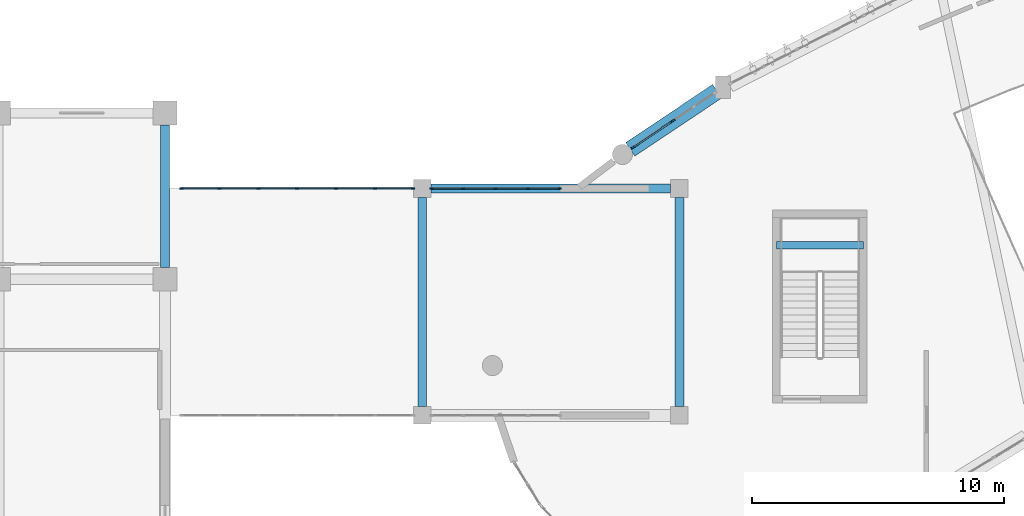
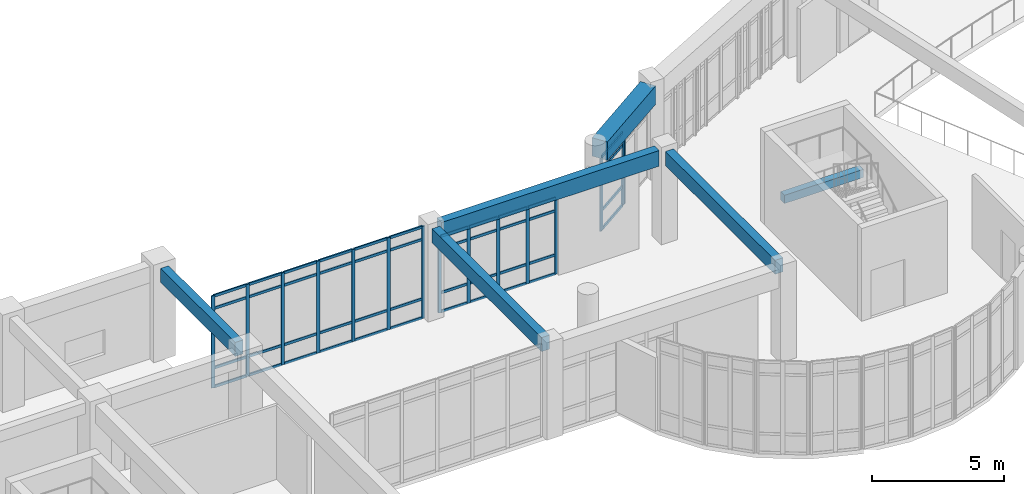
# One storey, part 9 of 57: 59 members, 6 beams, 4 elements without a shape of their own.
"""IFC4 building model written with IfcOpenShell, lengths in metres."""

from ifc_helpers import new_model, si_unit, direction, frame, origin, origin_2d, place, context, subcontext, project, spatial, rectangle, extrude, material, layer, layer_set, material_profile, profile_set, type_object, element, aggregate, save


model = new_model("IFC4")

# Units and contexts
model_context = context("Model", 3, precision=1e-05, world=origin(), true_north=direction((0.0, 1.0)))
body_context = subcontext(model_context, "Body", "Model", "MODEL_VIEW")
ifc_project = project(units=[si_unit("LENGTHUNIT", "METRE"), si_unit("AREAUNIT", "SQUARE_METRE"), si_unit("VOLUMEUNIT", "CUBIC_METRE"), si_unit("PLANEANGLEUNIT", "RADIAN"), si_unit("MASSUNIT", "GRAM", prefix="KILO")], contexts=[model_context])

# Site, building, storey
site_placement = place(None, origin())
site = spatial("IfcSite", under=ifc_project, at=site_placement, CompositionType="ELEMENT")
building_placement = place(site_placement, origin())
building = spatial("IfcBuilding", under=site, at=building_placement, Name="Miralva Faculty of Natural Sciences", CompositionType="ELEMENT")
storey_placement = place(building_placement, frame((0.0, 0.0, 15.0)))
storey = spatial("IfcBuildingStorey", under=building, at=storey_placement, Name="L03", CompositionType="ELEMENT", Elevation=15.0)

# Beams
ifc_material_1 = material(Name="Concrete C40/50", Category="concrete")
ifc_material_profile_1 = material_profile(ifc_material_1, rectangle(XDim=0.35009765625, YDim=0.64990234375, at=origin_2d()), Name="RC 350x650")
ifc_profile_set_1 = profile_set([ifc_material_profile_1], Name="Concrete C40/50")
beam_type_1 = type_object("IfcBeamType", Name="BM-B05", PredefinedType="BEAM", material=ifc_profile_set_1)
beam_1_placement = place(storey_placement, frame((36.0, 23.875, 3.93505859375), z_axis=(0.0, 1.0, 0.0), x_axis=(-1.0, 0.0, 0.0)))
element("IfcBeam", 1, at=beam_1_placement, inside=storey, type_object=beam_type_1, Name="Girder NS L03-109", PredefinedType="BEAM", context=body_context, shape_type="SweptSolid", body=[
    extrude(rectangle(XDim=0.35009765625, YDim=0.64990234375, at=origin_2d()), origin(), (0.0, 0.0, 1.0), 5.64990234375),
])
for number, where, z_axis, x_axis, name in (
    (2, (46.199951171875, 18.35009765625, 3.93505859375), (0.0, 1.0, 0.0), (-1.0, 0.0, 0.0), "Girder NS L03-110"),
    (3, (56.39990234375, 18.35009765625, 3.93505859375), (0.0, 1.0, 0.0), (-1.0, 0.0, 0.0), "Girder NS L03-111"),
):
    element("IfcBeam", number, at=place(storey_placement, frame(where, z_axis=z_axis, x_axis=x_axis)), inside=storey, type_object=beam_type_1, Name=name, PredefinedType="BEAM", context=body_context, shape_type="SweptSolid", body=[
        extrude(rectangle(XDim=0.35009765625, YDim=0.64990234375, at=origin_2d()), origin(), (0.0, 0.0, 1.0), 8.2998046875),
    ])
ifc_material_profile_2 = material_profile(ifc_material_1, rectangle(XDim=0.360107421875, YDim=0.719970703125, at=origin_2d()), Name="RC 360x720")
ifc_profile_set_2 = profile_set([ifc_material_profile_2], Name="Concrete C40/50")
beam_type_2 = type_object("IfcBeamType", Name="BM-BG05", PredefinedType="BEAM", material=ifc_profile_set_2)
beam_2_placement = place(storey_placement, frame((46.550048828125, 27.0, 3.89990234375), z_axis=(1.0, 0.0, 0.0), x_axis=(0.0, 1.0, 0.0)))
element("IfcBeam", 4, at=beam_2_placement, inside=storey, type_object=beam_type_2, Name="Girder EW L03-23", PredefinedType="BEAM", context=body_context, shape_type="SweptSolid", body=[
    extrude(rectangle(XDim=0.360107421875, YDim=0.719970703125, at=origin_2d()), origin(), (0.0, 0.0, 1.0), 9.5),
])
ifc_material_profile_3 = material_profile(ifc_material_1, rectangle(XDim=0.300048828125, YDim=0.3798828125, at=origin_2d()), Name="RC 300x380")
ifc_profile_set_3 = profile_set([ifc_material_profile_3], Name="Concrete C40/50")
beam_type_3 = type_object("IfcBeamType", Name="BM-LND01", PredefinedType="BEAM", material=ifc_profile_set_3)
beam_3_placement = place(storey_placement, frame((60.25, 24.7548828125, 1.8701171875), z_axis=(1.0, 0.0, 0.0), x_axis=(0.0, 1.0, 0.0)))
element("IfcBeam", 5, at=beam_3_placement, inside=storey, type_object=beam_type_3, Name="Stair Core C6 half-landing support beam L03", PredefinedType="BEAM", context=body_context, shape_type="SweptSolid", body=[
    extrude(rectangle(XDim=0.300048828125, YDim=0.3798828125, at=origin_2d()), origin(), (0.0, 0.0, 1.0), 3.449951171875),
])
ifc_material_profile_4 = material_profile(ifc_material_1, rectangle(XDim=0.64990234375, YDim=0.85009765625, at=origin_2d()), Name="RC 650x850")
ifc_profile_set_4 = profile_set([ifc_material_profile_4], Name="Concrete C40/50")
beam_type_4 = type_object("IfcBeamType", Name="BM-SP03", PredefinedType="SPANDREL", material=ifc_profile_set_4)
beam_4_placement = place(storey_placement, frame((57.900390625, 30.856689453125, 3.8349609375), z_axis=(-0.831378794944, -0.555706126759, 0.0), x_axis=(0.555706126759, -0.831378794944, 0.0)))
element("IfcBeam", 6, at=beam_4_placement, inside=storey, type_object=beam_type_4, Name="Curved chord girder SHOUT L03-9", PredefinedType="SPANDREL", context=body_context, shape_type="SweptSolid", body=[
    extrude(rectangle(XDim=0.64990234375, YDim=0.85009765625, at=origin_2d()), origin(), (0.0, 0.0, 1.0), 4.142822265625),
])

# Curtain wall, members
ifc_material_2 = material(Name="Laminated solar-control glass", Category="glass")
ifc_layer_1 = layer(ifc_material_2, 0.179931640625, Name="CW-ARC-L03")
ifc_layer_set_1 = layer_set([ifc_layer_1], Name="Laminated solar-control glass")
curtain_wall_type_1 = type_object("IfcCurtainWallType", Name="CW-ARC-L03", PredefinedType="USERDEFINED", material=ifc_layer_set_1)
curtain_wall_1_placement = place(storey_placement, origin())
curtain_wall_1 = element("IfcCurtainWall", 7, at=curtain_wall_1_placement, inside=storey, type_object=curtain_wall_type_1, Name="Curtain wall CW-03 L03-125", ObjectType="UNITISED CURTAIN WALL", PredefinedType="USERDEFINED")
ifc_material_3 = material(Name="Anodised aluminium", Category="aluminium")
ifc_material_profile_5 = material_profile(ifc_material_3, rectangle(XDim=0.06494140625, YDim=0.159912109375, at=origin_2d()), Name="MULLION 65x160")
ifc_profile_set_5 = profile_set([ifc_material_profile_5], Name="Anodised aluminium")
member_type_1 = type_object("IfcMemberType", Name="CW-M02", PredefinedType="MULLION", material=ifc_profile_set_5)
member_1_placement = place(storey_placement, frame((54.558837890625, 28.62646484375, 0.0), z_axis=(0.0, 0.0, 1.0), x_axis=(-0.555548937913, 0.831483840844, 0.0)))
member_1 = element("IfcMember", 8, at=member_1_placement, type_object=member_type_1, Name="CW-03 mullion 1", PredefinedType="MULLION", context=body_context, shape_type="SweptSolid", body=[
    extrude(rectangle(XDim=0.06494140625, YDim=0.159912109375, at=origin_2d()), origin(), (0.0, 0.0, 1.0), 3.405029296875),
])
member_2_placement = place(storey_placement, frame((56.109375, 29.662353515625, 0.0), z_axis=(0.0, 0.0, 1.0), x_axis=(-0.555548937913, 0.831483840844, 0.0)))
member_2 = element("IfcMember", 9, at=member_2_placement, type_object=member_type_1, Name="CW-03 mullion 2", PredefinedType="MULLION", context=body_context, shape_type="SweptSolid", body=[
    extrude(rectangle(XDim=0.06494140625, YDim=0.159912109375, at=origin_2d()), origin(), (0.0, 0.0, 1.0), 3.405029296875),
])

# Curtain wall, member
curtain_wall_2_placement = place(storey_placement, origin())
curtain_wall_2 = element("IfcCurtainWall", 10, at=curtain_wall_2_placement, inside=storey, type_object=curtain_wall_type_1, Name="Curtain wall CW-03 L03-126", ObjectType="UNITISED CURTAIN WALL", PredefinedType="USERDEFINED")
member_3_placement = place(storey_placement, frame((56.1591796875, 29.69580078125, 0.0), z_axis=(0.0, 0.0, 1.0), x_axis=(-0.55558704736, 0.831458377074, 0.0)))
member_3 = element("IfcMember", 11, at=member_3_placement, type_object=member_type_1, Name="CW-03 mullion 1", PredefinedType="MULLION", context=body_context, shape_type="SweptSolid", body=[
    extrude(rectangle(XDim=0.06494140625, YDim=0.159912109375, at=origin_2d()), origin(), (0.0, 0.0, 1.0), 3.405029296875),
])
aggregate(curtain_wall_2, [member_3])

# Curtain wall, members
ifc_layer_2 = layer(ifc_material_2, 0.179931640625, Name="CW-COM-L01")
ifc_layer_set_2 = layer_set([ifc_layer_2], Name="Laminated solar-control glass")
curtain_wall_type_2 = type_object("IfcCurtainWallType", Name="CW-COM-L01", PredefinedType="USERDEFINED", material=ifc_layer_set_2)
curtain_wall_3_placement = place(storey_placement, origin())
curtain_wall_3 = element("IfcCurtainWall", 12, at=curtain_wall_3_placement, inside=storey, type_object=curtain_wall_type_2, Name="Curtain wall CW-10 L03-303", ObjectType="UNITISED CURTAIN WALL", PredefinedType="USERDEFINED")
ifc_material_profile_6 = material_profile(ifc_material_3, rectangle(XDim=0.06005859375, YDim=0.139892578125, at=origin_2d()), Name="MULLION 60x140")
ifc_profile_set_6 = profile_set([ifc_material_profile_6], Name="Anodised aluminium")
member_type_2 = type_object("IfcMemberType", Name="CW-M03", PredefinedType="MULLION", material=ifc_profile_set_6)
member_4_placement = place(storey_placement, frame((36.64990234375, 27.0, 0.0), z_axis=(0.0, 0.0, 1.0), x_axis=(0.0, 1.0, 0.0)))
member_4 = element("IfcMember", 13, at=member_4_placement, type_object=member_type_2, Name="CW-10 mullion 1", PredefinedType="MULLION", context=body_context, shape_type="SweptSolid", body=[
    extrude(rectangle(XDim=0.06005859375, YDim=0.139892578125, at=origin_2d()), origin(), (0.0, 0.0, 1.0), 4.25),
])
member_5_placement = place(storey_placement, frame((38.160888671875, 27.0, 0.0), z_axis=(0.0, 0.0, 1.0), x_axis=(0.0, 1.0, 0.0)))
member_5 = element("IfcMember", 14, at=member_5_placement, type_object=member_type_2, Name="CW-10 mullion 2", PredefinedType="MULLION", context=body_context, shape_type="SweptSolid", body=[
    extrude(rectangle(XDim=0.06005859375, YDim=0.139892578125, at=origin_2d()), origin(), (0.0, 0.0, 1.0), 4.25),
])
member_6_placement = place(storey_placement, frame((39.70166015625, 27.0, 0.0), z_axis=(0.0, 0.0, 1.0), x_axis=(0.0, 1.0, 0.0)))
member_6 = element("IfcMember", 15, at=member_6_placement, type_object=member_type_2, Name="CW-10 mullion 3", PredefinedType="MULLION", context=body_context, shape_type="SweptSolid", body=[
    extrude(rectangle(XDim=0.06005859375, YDim=0.139892578125, at=origin_2d()), origin(), (0.0, 0.0, 1.0), 4.25),
])
member_7_placement = place(storey_placement, frame((41.242431640625, 27.0, 0.0), z_axis=(0.0, 0.0, 1.0), x_axis=(0.0, 1.0, 0.0)))
member_7 = element("IfcMember", 16, at=member_7_placement, type_object=member_type_2, Name="CW-10 mullion 4", PredefinedType="MULLION", context=body_context, shape_type="SweptSolid", body=[
    extrude(rectangle(XDim=0.06005859375, YDim=0.139892578125, at=origin_2d()), origin(), (0.0, 0.0, 1.0), 4.25),
])
member_8_placement = place(storey_placement, frame((42.783447265625, 27.0, 0.0), z_axis=(0.0, 0.0, 1.0), x_axis=(0.0, 1.0, 0.0)))
member_8 = element("IfcMember", 17, at=member_8_placement, type_object=member_type_2, Name="CW-10 mullion 5", PredefinedType="MULLION", context=body_context, shape_type="SweptSolid", body=[
    extrude(rectangle(XDim=0.06005859375, YDim=0.139892578125, at=origin_2d()), origin(), (0.0, 0.0, 1.0), 4.25),
])
member_9_placement = place(storey_placement, frame((44.32421875, 27.0, 0.0), z_axis=(0.0, 0.0, 1.0), x_axis=(0.0, 1.0, 0.0)))
member_9 = element("IfcMember", 18, at=member_9_placement, type_object=member_type_2, Name="CW-10 mullion 6", PredefinedType="MULLION", context=body_context, shape_type="SweptSolid", body=[
    extrude(rectangle(XDim=0.06005859375, YDim=0.139892578125, at=origin_2d()), origin(), (0.0, 0.0, 1.0), 4.25),
])
member_10_placement = place(storey_placement, frame((45.8349609375, 27.0, 0.0), z_axis=(0.0, 0.0, 1.0), x_axis=(0.0, 1.0, 0.0)))
member_10 = element("IfcMember", 19, at=member_10_placement, type_object=member_type_2, Name="CW-10 mullion 7", PredefinedType="MULLION", context=body_context, shape_type="SweptSolid", body=[
    extrude(rectangle(XDim=0.06005859375, YDim=0.139892578125, at=origin_2d()), origin(), (0.0, 0.0, 1.0), 4.25),
])

curtain_wall_4_placement = place(storey_placement, origin())
curtain_wall_4 = element("IfcCurtainWall", 20, at=curtain_wall_4_placement, inside=storey, type_object=curtain_wall_type_2, Name="Curtain wall CW-10 L03-304", ObjectType="UNITISED CURTAIN WALL", PredefinedType="USERDEFINED")
member_11_placement = place(storey_placement, frame((46.56494140625, 27.0, 0.0), z_axis=(0.0, 0.0, 1.0), x_axis=(0.0, 1.0, 0.0)))
member_11 = element("IfcMember", 21, at=member_11_placement, type_object=member_type_2, Name="CW-10 mullion 1", PredefinedType="MULLION", context=body_context, shape_type="SweptSolid", body=[
    extrude(rectangle(XDim=0.06005859375, YDim=0.139892578125, at=origin_2d()), origin(), (0.0, 0.0, 1.0), 3.534912109375),
])
member_12_placement = place(storey_placement, frame((47.8212890625, 27.0, 0.0), z_axis=(0.0, 0.0, 1.0), x_axis=(0.0, 1.0, 0.0)))
member_12 = element("IfcMember", 22, at=member_12_placement, type_object=member_type_2, Name="CW-10 mullion 2", PredefinedType="MULLION", context=body_context, shape_type="SweptSolid", body=[
    extrude(rectangle(XDim=0.06005859375, YDim=0.139892578125, at=origin_2d()), origin(), (0.0, 0.0, 1.0), 3.534912109375),
])
member_13_placement = place(storey_placement, frame((49.107421875, 27.0, 0.0), z_axis=(0.0, 0.0, 1.0), x_axis=(0.0, 1.0, 0.0)))
member_13 = element("IfcMember", 23, at=member_13_placement, type_object=member_type_2, Name="CW-10 mullion 3", PredefinedType="MULLION", context=body_context, shape_type="SweptSolid", body=[
    extrude(rectangle(XDim=0.06005859375, YDim=0.139892578125, at=origin_2d()), origin(), (0.0, 0.0, 1.0), 3.534912109375),
])
member_14_placement = place(storey_placement, frame((50.393798828125, 27.0, 0.0), z_axis=(0.0, 0.0, 1.0), x_axis=(0.0, 1.0, 0.0)))
member_14 = element("IfcMember", 24, at=member_14_placement, type_object=member_type_2, Name="CW-10 mullion 4", PredefinedType="MULLION", context=body_context, shape_type="SweptSolid", body=[
    extrude(rectangle(XDim=0.06005859375, YDim=0.139892578125, at=origin_2d()), origin(), (0.0, 0.0, 1.0), 3.534912109375),
])
member_15_placement = place(storey_placement, frame((51.64990234375, 27.0, 0.0), z_axis=(0.0, 0.0, 1.0), x_axis=(0.0, 1.0, 0.0)))
member_15 = element("IfcMember", 25, at=member_15_placement, type_object=member_type_2, Name="CW-10 mullion 5", PredefinedType="MULLION", context=body_context, shape_type="SweptSolid", body=[
    extrude(rectangle(XDim=0.06005859375, YDim=0.139892578125, at=origin_2d()), origin(), (0.0, 0.0, 1.0), 3.534912109375),
])

# Member
ifc_material_profile_7 = material_profile(ifc_material_3, rectangle(XDim=0.06005859375, YDim=0.1201171875, at=origin_2d()), Name="TRANSOM 60x120")
ifc_profile_set_7 = profile_set([ifc_material_profile_7], Name="Anodised aluminium")
member_type_3 = type_object("IfcMemberType", Name="CW-T02", PredefinedType="USERDEFINED", material=ifc_profile_set_7)
member_16_placement = place(storey_placement, frame((54.585693359375, 28.64453125, 0.030029296875), z_axis=(0.831528199487, 0.555482541093, 0.0), x_axis=(-0.555482541093, 0.831528199487, 0.0)))
member_16 = element("IfcMember", 26, at=member_16_placement, type_object=member_type_3, Name="CW-03 transom 1.1", ObjectType="TRANSOM", PredefinedType="USERDEFINED", context=body_context, shape_type="SweptSolid", body=[
    extrude(rectangle(XDim=0.06005859375, YDim=0.1201171875, at=origin_2d()), origin(), (0.0, 0.0, 1.0), 1.7998046875),
])

member_17_placement = place(storey_placement, frame((54.585693359375, 28.64453125, 0.89990234375), z_axis=(0.831528199487, 0.555482541093, 0.0), x_axis=(-0.555482541093, 0.831528199487, 0.0)))
member_17 = element("IfcMember", 27, at=member_17_placement, type_object=member_type_3, Name="CW-03 transom 1.2", ObjectType="TRANSOM", PredefinedType="USERDEFINED", context=body_context, shape_type="SweptSolid", body=[
    extrude(rectangle(XDim=0.06005859375, YDim=0.1201171875, at=origin_2d()), origin(), (0.0, 0.0, 1.0), 1.7998046875),
])

member_18_placement = place(storey_placement, frame((54.585693359375, 28.64453125, 2.804931640625), z_axis=(0.831528199487, 0.555482541093, 0.0), x_axis=(-0.555482541093, 0.831528199487, 0.0)))
member_18 = element("IfcMember", 28, at=member_18_placement, type_object=member_type_3, Name="CW-03 transom 1.3", ObjectType="TRANSOM", PredefinedType="USERDEFINED", context=body_context, shape_type="SweptSolid", body=[
    extrude(rectangle(XDim=0.06005859375, YDim=0.1201171875, at=origin_2d()), origin(), (0.0, 0.0, 1.0), 1.7998046875),
])

member_19_placement = place(storey_placement, frame((54.585693359375, 28.64453125, 3.375), z_axis=(0.831528199487, 0.555482541093, 0.0), x_axis=(-0.555482541093, 0.831528199487, 0.0)))
member_19 = element("IfcMember", 29, at=member_19_placement, type_object=member_type_3, Name="CW-03 transom 1.4", ObjectType="TRANSOM", PredefinedType="USERDEFINED", context=body_context, shape_type="SweptSolid", body=[
    extrude(rectangle(XDim=0.06005859375, YDim=0.1201171875, at=origin_2d()), origin(), (0.0, 0.0, 1.0), 1.7998046875),
])

aggregate(curtain_wall_1, [member_1, member_2, member_16, member_17, member_18, member_19])

member_20_placement = place(storey_placement, frame((36.679931640625, 27.0, 0.030029296875), z_axis=(1.0, 0.0, 0.0), x_axis=(0.0, 1.0, 0.0)))
member_20 = element("IfcMember", 30, at=member_20_placement, type_object=member_type_3, Name="CW-10 transom 1.1", ObjectType="TRANSOM", PredefinedType="USERDEFINED", context=body_context, shape_type="SweptSolid", body=[
    extrude(rectangle(XDim=0.06005859375, YDim=0.1201171875, at=origin_2d()), origin(), (0.0, 0.0, 1.0), 1.450927734375),
])

member_21_placement = place(storey_placement, frame((36.679931640625, 27.0, 0.89990234375), z_axis=(1.0, 0.0, 0.0), x_axis=(0.0, 1.0, 0.0)))
member_21 = element("IfcMember", 31, at=member_21_placement, type_object=member_type_3, Name="CW-10 transom 1.2", ObjectType="TRANSOM", PredefinedType="USERDEFINED", context=body_context, shape_type="SweptSolid", body=[
    extrude(rectangle(XDim=0.06005859375, YDim=0.1201171875, at=origin_2d()), origin(), (0.0, 0.0, 1.0), 1.450927734375),
])

member_22_placement = place(storey_placement, frame((36.679931640625, 27.0, 3.64990234375), z_axis=(1.0, 0.0, 0.0), x_axis=(0.0, 1.0, 0.0)))
member_22 = element("IfcMember", 32, at=member_22_placement, type_object=member_type_3, Name="CW-10 transom 1.3", ObjectType="TRANSOM", PredefinedType="USERDEFINED", context=body_context, shape_type="SweptSolid", body=[
    extrude(rectangle(XDim=0.06005859375, YDim=0.1201171875, at=origin_2d()), origin(), (0.0, 0.0, 1.0), 1.450927734375),
])

member_23_placement = place(storey_placement, frame((36.679931640625, 27.0, 4.219970703125), z_axis=(1.0, 0.0, 0.0), x_axis=(0.0, 1.0, 0.0)))
member_23 = element("IfcMember", 33, at=member_23_placement, type_object=member_type_3, Name="CW-10 transom 1.4", ObjectType="TRANSOM", PredefinedType="USERDEFINED", context=body_context, shape_type="SweptSolid", body=[
    extrude(rectangle(XDim=0.06005859375, YDim=0.1201171875, at=origin_2d()), origin(), (0.0, 0.0, 1.0), 1.450927734375),
])

member_24_placement = place(storey_placement, frame((38.19091796875, 27.0, 0.030029296875), z_axis=(1.0, 0.0, 0.0), x_axis=(0.0, 1.0, 0.0)))
member_24 = element("IfcMember", 34, at=member_24_placement, type_object=member_type_3, Name="CW-10 transom 2.1", ObjectType="TRANSOM", PredefinedType="USERDEFINED", context=body_context, shape_type="SweptSolid", body=[
    extrude(rectangle(XDim=0.06005859375, YDim=0.1201171875, at=origin_2d()), origin(), (0.0, 0.0, 1.0), 1.480712890625),
])

member_25_placement = place(storey_placement, frame((38.19091796875, 27.0, 0.89990234375), z_axis=(1.0, 0.0, 0.0), x_axis=(0.0, 1.0, 0.0)))
member_25 = element("IfcMember", 35, at=member_25_placement, type_object=member_type_3, Name="CW-10 transom 2.2", ObjectType="TRANSOM", PredefinedType="USERDEFINED", context=body_context, shape_type="SweptSolid", body=[
    extrude(rectangle(XDim=0.06005859375, YDim=0.1201171875, at=origin_2d()), origin(), (0.0, 0.0, 1.0), 1.480712890625),
])

member_26_placement = place(storey_placement, frame((38.19091796875, 27.0, 3.64990234375), z_axis=(1.0, 0.0, 0.0), x_axis=(0.0, 1.0, 0.0)))
member_26 = element("IfcMember", 36, at=member_26_placement, type_object=member_type_3, Name="CW-10 transom 2.3", ObjectType="TRANSOM", PredefinedType="USERDEFINED", context=body_context, shape_type="SweptSolid", body=[
    extrude(rectangle(XDim=0.06005859375, YDim=0.1201171875, at=origin_2d()), origin(), (0.0, 0.0, 1.0), 1.480712890625),
])

member_27_placement = place(storey_placement, frame((38.19091796875, 27.0, 4.219970703125), z_axis=(1.0, 0.0, 0.0), x_axis=(0.0, 1.0, 0.0)))
member_27 = element("IfcMember", 37, at=member_27_placement, type_object=member_type_3, Name="CW-10 transom 2.4", ObjectType="TRANSOM", PredefinedType="USERDEFINED", context=body_context, shape_type="SweptSolid", body=[
    extrude(rectangle(XDim=0.06005859375, YDim=0.1201171875, at=origin_2d()), origin(), (0.0, 0.0, 1.0), 1.480712890625),
])

member_28_placement = place(storey_placement, frame((39.731689453125, 27.0, 0.030029296875), z_axis=(1.0, 0.0, 0.0), x_axis=(0.0, 1.0, 0.0)))
member_28 = element("IfcMember", 38, at=member_28_placement, type_object=member_type_3, Name="CW-10 transom 3.1", ObjectType="TRANSOM", PredefinedType="USERDEFINED", context=body_context, shape_type="SweptSolid", body=[
    extrude(rectangle(XDim=0.06005859375, YDim=0.1201171875, at=origin_2d()), origin(), (0.0, 0.0, 1.0), 1.480712890625),
])

member_29_placement = place(storey_placement, frame((39.731689453125, 27.0, 0.89990234375), z_axis=(1.0, 0.0, 0.0), x_axis=(0.0, 1.0, 0.0)))
member_29 = element("IfcMember", 39, at=member_29_placement, type_object=member_type_3, Name="CW-10 transom 3.2", ObjectType="TRANSOM", PredefinedType="USERDEFINED", context=body_context, shape_type="SweptSolid", body=[
    extrude(rectangle(XDim=0.06005859375, YDim=0.1201171875, at=origin_2d()), origin(), (0.0, 0.0, 1.0), 1.480712890625),
])

member_30_placement = place(storey_placement, frame((39.731689453125, 27.0, 3.64990234375), z_axis=(1.0, 0.0, 0.0), x_axis=(0.0, 1.0, 0.0)))
member_30 = element("IfcMember", 40, at=member_30_placement, type_object=member_type_3, Name="CW-10 transom 3.3", ObjectType="TRANSOM", PredefinedType="USERDEFINED", context=body_context, shape_type="SweptSolid", body=[
    extrude(rectangle(XDim=0.06005859375, YDim=0.1201171875, at=origin_2d()), origin(), (0.0, 0.0, 1.0), 1.480712890625),
])

member_31_placement = place(storey_placement, frame((39.731689453125, 27.0, 4.219970703125), z_axis=(1.0, 0.0, 0.0), x_axis=(0.0, 1.0, 0.0)))
member_31 = element("IfcMember", 41, at=member_31_placement, type_object=member_type_3, Name="CW-10 transom 3.4", ObjectType="TRANSOM", PredefinedType="USERDEFINED", context=body_context, shape_type="SweptSolid", body=[
    extrude(rectangle(XDim=0.06005859375, YDim=0.1201171875, at=origin_2d()), origin(), (0.0, 0.0, 1.0), 1.480712890625),
])

member_32_placement = place(storey_placement, frame((41.2724609375, 27.0, 0.030029296875), z_axis=(1.0, 0.0, 0.0), x_axis=(0.0, 1.0, 0.0)))
member_32 = element("IfcMember", 42, at=member_32_placement, type_object=member_type_3, Name="CW-10 transom 4.1", ObjectType="TRANSOM", PredefinedType="USERDEFINED", context=body_context, shape_type="SweptSolid", body=[
    extrude(rectangle(XDim=0.06005859375, YDim=0.1201171875, at=origin_2d()), origin(), (0.0, 0.0, 1.0), 1.48095703125),
])

member_33_placement = place(storey_placement, frame((41.2724609375, 27.0, 0.89990234375), z_axis=(1.0, 0.0, 0.0), x_axis=(0.0, 1.0, 0.0)))
member_33 = element("IfcMember", 43, at=member_33_placement, type_object=member_type_3, Name="CW-10 transom 4.2", ObjectType="TRANSOM", PredefinedType="USERDEFINED", context=body_context, shape_type="SweptSolid", body=[
    extrude(rectangle(XDim=0.06005859375, YDim=0.1201171875, at=origin_2d()), origin(), (0.0, 0.0, 1.0), 1.48095703125),
])

member_34_placement = place(storey_placement, frame((41.2724609375, 27.0, 3.64990234375), z_axis=(1.0, 0.0, 0.0), x_axis=(0.0, 1.0, 0.0)))
member_34 = element("IfcMember", 44, at=member_34_placement, type_object=member_type_3, Name="CW-10 transom 4.3", ObjectType="TRANSOM", PredefinedType="USERDEFINED", context=body_context, shape_type="SweptSolid", body=[
    extrude(rectangle(XDim=0.06005859375, YDim=0.1201171875, at=origin_2d()), origin(), (0.0, 0.0, 1.0), 1.48095703125),
])

member_35_placement = place(storey_placement, frame((41.2724609375, 27.0, 4.219970703125), z_axis=(1.0, 0.0, 0.0), x_axis=(0.0, 1.0, 0.0)))
member_35 = element("IfcMember", 45, at=member_35_placement, type_object=member_type_3, Name="CW-10 transom 4.4", ObjectType="TRANSOM", PredefinedType="USERDEFINED", context=body_context, shape_type="SweptSolid", body=[
    extrude(rectangle(XDim=0.06005859375, YDim=0.1201171875, at=origin_2d()), origin(), (0.0, 0.0, 1.0), 1.48095703125),
])

member_36_placement = place(storey_placement, frame((42.813232421875, 27.0, 0.030029296875), z_axis=(1.0, 0.0, 0.0), x_axis=(0.0, 1.0, 0.0)))
member_36 = element("IfcMember", 46, at=member_36_placement, type_object=member_type_3, Name="CW-10 transom 5.1", ObjectType="TRANSOM", PredefinedType="USERDEFINED", context=body_context, shape_type="SweptSolid", body=[
    extrude(rectangle(XDim=0.06005859375, YDim=0.1201171875, at=origin_2d()), origin(), (0.0, 0.0, 1.0), 1.48095703125),
])

member_37_placement = place(storey_placement, frame((42.813232421875, 27.0, 0.89990234375), z_axis=(1.0, 0.0, 0.0), x_axis=(0.0, 1.0, 0.0)))
member_37 = element("IfcMember", 47, at=member_37_placement, type_object=member_type_3, Name="CW-10 transom 5.2", ObjectType="TRANSOM", PredefinedType="USERDEFINED", context=body_context, shape_type="SweptSolid", body=[
    extrude(rectangle(XDim=0.06005859375, YDim=0.1201171875, at=origin_2d()), origin(), (0.0, 0.0, 1.0), 1.48095703125),
])

member_38_placement = place(storey_placement, frame((42.813232421875, 27.0, 3.64990234375), z_axis=(1.0, 0.0, 0.0), x_axis=(0.0, 1.0, 0.0)))
member_38 = element("IfcMember", 48, at=member_38_placement, type_object=member_type_3, Name="CW-10 transom 5.3", ObjectType="TRANSOM", PredefinedType="USERDEFINED", context=body_context, shape_type="SweptSolid", body=[
    extrude(rectangle(XDim=0.06005859375, YDim=0.1201171875, at=origin_2d()), origin(), (0.0, 0.0, 1.0), 1.48095703125),
])

member_39_placement = place(storey_placement, frame((42.813232421875, 27.0, 4.219970703125), z_axis=(1.0, 0.0, 0.0), x_axis=(0.0, 1.0, 0.0)))
member_39 = element("IfcMember", 49, at=member_39_placement, type_object=member_type_3, Name="CW-10 transom 5.4", ObjectType="TRANSOM", PredefinedType="USERDEFINED", context=body_context, shape_type="SweptSolid", body=[
    extrude(rectangle(XDim=0.06005859375, YDim=0.1201171875, at=origin_2d()), origin(), (0.0, 0.0, 1.0), 1.48095703125),
])

member_40_placement = place(storey_placement, frame((44.354248046875, 27.0, 0.030029296875), z_axis=(1.0, 0.0, 0.0), x_axis=(0.0, 1.0, 0.0)))
member_40 = element("IfcMember", 50, at=member_40_placement, type_object=member_type_3, Name="CW-10 transom 6.1", ObjectType="TRANSOM", PredefinedType="USERDEFINED", context=body_context, shape_type="SweptSolid", body=[
    extrude(rectangle(XDim=0.06005859375, YDim=0.1201171875, at=origin_2d()), origin(), (0.0, 0.0, 1.0), 1.45068359375),
])

member_41_placement = place(storey_placement, frame((44.354248046875, 27.0, 0.89990234375), z_axis=(1.0, 0.0, 0.0), x_axis=(0.0, 1.0, 0.0)))
member_41 = element("IfcMember", 51, at=member_41_placement, type_object=member_type_3, Name="CW-10 transom 6.2", ObjectType="TRANSOM", PredefinedType="USERDEFINED", context=body_context, shape_type="SweptSolid", body=[
    extrude(rectangle(XDim=0.06005859375, YDim=0.1201171875, at=origin_2d()), origin(), (0.0, 0.0, 1.0), 1.45068359375),
])

member_42_placement = place(storey_placement, frame((44.354248046875, 27.0, 3.64990234375), z_axis=(1.0, 0.0, 0.0), x_axis=(0.0, 1.0, 0.0)))
member_42 = element("IfcMember", 52, at=member_42_placement, type_object=member_type_3, Name="CW-10 transom 6.3", ObjectType="TRANSOM", PredefinedType="USERDEFINED", context=body_context, shape_type="SweptSolid", body=[
    extrude(rectangle(XDim=0.06005859375, YDim=0.1201171875, at=origin_2d()), origin(), (0.0, 0.0, 1.0), 1.45068359375),
])

member_43_placement = place(storey_placement, frame((44.354248046875, 27.0, 4.219970703125), z_axis=(1.0, 0.0, 0.0), x_axis=(0.0, 1.0, 0.0)))
member_43 = element("IfcMember", 53, at=member_43_placement, type_object=member_type_3, Name="CW-10 transom 6.4", ObjectType="TRANSOM", PredefinedType="USERDEFINED", context=body_context, shape_type="SweptSolid", body=[
    extrude(rectangle(XDim=0.06005859375, YDim=0.1201171875, at=origin_2d()), origin(), (0.0, 0.0, 1.0), 1.45068359375),
])

aggregate(curtain_wall_3, [member_4, member_5, member_6, member_7, member_8, member_9, member_10, member_20, member_21, member_22, member_23, member_24, member_25, member_26, member_27, member_28, member_29, member_30, member_31, member_32, member_33, member_34, member_35, member_36, member_37, member_38, member_39, member_40, member_41, member_42, member_43])

member_44_placement = place(storey_placement, frame((46.594970703125, 27.0, 0.030029296875), z_axis=(1.0, 0.0, 0.0), x_axis=(0.0, 1.0, 0.0)))
member_44 = element("IfcMember", 54, at=member_44_placement, type_object=member_type_3, Name="CW-10 transom 1.1", ObjectType="TRANSOM", PredefinedType="USERDEFINED", context=body_context, shape_type="SweptSolid", body=[
    extrude(rectangle(XDim=0.06005859375, YDim=0.1201171875, at=origin_2d()), origin(), (0.0, 0.0, 1.0), 1.1962890625),
])

member_45_placement = place(storey_placement, frame((46.594970703125, 27.0, 0.89990234375), z_axis=(1.0, 0.0, 0.0), x_axis=(0.0, 1.0, 0.0)))
member_45 = element("IfcMember", 55, at=member_45_placement, type_object=member_type_3, Name="CW-10 transom 1.2", ObjectType="TRANSOM", PredefinedType="USERDEFINED", context=body_context, shape_type="SweptSolid", body=[
    extrude(rectangle(XDim=0.06005859375, YDim=0.1201171875, at=origin_2d()), origin(), (0.0, 0.0, 1.0), 1.1962890625),
])

member_46_placement = place(storey_placement, frame((46.594970703125, 27.0, 2.93505859375), z_axis=(1.0, 0.0, 0.0), x_axis=(0.0, 1.0, 0.0)))
member_46 = element("IfcMember", 56, at=member_46_placement, type_object=member_type_3, Name="CW-10 transom 1.3", ObjectType="TRANSOM", PredefinedType="USERDEFINED", context=body_context, shape_type="SweptSolid", body=[
    extrude(rectangle(XDim=0.06005859375, YDim=0.1201171875, at=origin_2d()), origin(), (0.0, 0.0, 1.0), 1.1962890625),
])

member_47_placement = place(storey_placement, frame((46.594970703125, 27.0, 3.5048828125), z_axis=(1.0, 0.0, 0.0), x_axis=(0.0, 1.0, 0.0)))
member_47 = element("IfcMember", 57, at=member_47_placement, type_object=member_type_3, Name="CW-10 transom 1.4", ObjectType="TRANSOM", PredefinedType="USERDEFINED", context=body_context, shape_type="SweptSolid", body=[
    extrude(rectangle(XDim=0.06005859375, YDim=0.1201171875, at=origin_2d()), origin(), (0.0, 0.0, 1.0), 1.1962890625),
])

member_48_placement = place(storey_placement, frame((47.851318359375, 27.0, 0.030029296875), z_axis=(1.0, 0.0, 0.0), x_axis=(0.0, 1.0, 0.0)))
member_48 = element("IfcMember", 58, at=member_48_placement, type_object=member_type_3, Name="CW-10 transom 2.1", ObjectType="TRANSOM", PredefinedType="USERDEFINED", context=body_context, shape_type="SweptSolid", body=[
    extrude(rectangle(XDim=0.06005859375, YDim=0.1201171875, at=origin_2d()), origin(), (0.0, 0.0, 1.0), 1.22607421875),
])

member_49_placement = place(storey_placement, frame((47.851318359375, 27.0, 0.89990234375), z_axis=(1.0, 0.0, 0.0), x_axis=(0.0, 1.0, 0.0)))
member_49 = element("IfcMember", 59, at=member_49_placement, type_object=member_type_3, Name="CW-10 transom 2.2", ObjectType="TRANSOM", PredefinedType="USERDEFINED", context=body_context, shape_type="SweptSolid", body=[
    extrude(rectangle(XDim=0.06005859375, YDim=0.1201171875, at=origin_2d()), origin(), (0.0, 0.0, 1.0), 1.22607421875),
])

member_50_placement = place(storey_placement, frame((47.851318359375, 27.0, 2.93505859375), z_axis=(1.0, 0.0, 0.0), x_axis=(0.0, 1.0, 0.0)))
member_50 = element("IfcMember", 60, at=member_50_placement, type_object=member_type_3, Name="CW-10 transom 2.3", ObjectType="TRANSOM", PredefinedType="USERDEFINED", context=body_context, shape_type="SweptSolid", body=[
    extrude(rectangle(XDim=0.06005859375, YDim=0.1201171875, at=origin_2d()), origin(), (0.0, 0.0, 1.0), 1.22607421875),
])

member_51_placement = place(storey_placement, frame((47.851318359375, 27.0, 3.5048828125), z_axis=(1.0, 0.0, 0.0), x_axis=(0.0, 1.0, 0.0)))
member_51 = element("IfcMember", 61, at=member_51_placement, type_object=member_type_3, Name="CW-10 transom 2.4", ObjectType="TRANSOM", PredefinedType="USERDEFINED", context=body_context, shape_type="SweptSolid", body=[
    extrude(rectangle(XDim=0.06005859375, YDim=0.1201171875, at=origin_2d()), origin(), (0.0, 0.0, 1.0), 1.22607421875),
])

member_52_placement = place(storey_placement, frame((49.137451171875, 27.0, 0.030029296875), z_axis=(1.0, 0.0, 0.0), x_axis=(0.0, 1.0, 0.0)))
member_52 = element("IfcMember", 62, at=member_52_placement, type_object=member_type_3, Name="CW-10 transom 3.1", ObjectType="TRANSOM", PredefinedType="USERDEFINED", context=body_context, shape_type="SweptSolid", body=[
    extrude(rectangle(XDim=0.06005859375, YDim=0.1201171875, at=origin_2d()), origin(), (0.0, 0.0, 1.0), 1.226318359375),
])

member_53_placement = place(storey_placement, frame((49.137451171875, 27.0, 0.89990234375), z_axis=(1.0, 0.0, 0.0), x_axis=(0.0, 1.0, 0.0)))
member_53 = element("IfcMember", 63, at=member_53_placement, type_object=member_type_3, Name="CW-10 transom 3.2", ObjectType="TRANSOM", PredefinedType="USERDEFINED", context=body_context, shape_type="SweptSolid", body=[
    extrude(rectangle(XDim=0.06005859375, YDim=0.1201171875, at=origin_2d()), origin(), (0.0, 0.0, 1.0), 1.226318359375),
])

member_54_placement = place(storey_placement, frame((49.137451171875, 27.0, 2.93505859375), z_axis=(1.0, 0.0, 0.0), x_axis=(0.0, 1.0, 0.0)))
member_54 = element("IfcMember", 64, at=member_54_placement, type_object=member_type_3, Name="CW-10 transom 3.3", ObjectType="TRANSOM", PredefinedType="USERDEFINED", context=body_context, shape_type="SweptSolid", body=[
    extrude(rectangle(XDim=0.06005859375, YDim=0.1201171875, at=origin_2d()), origin(), (0.0, 0.0, 1.0), 1.226318359375),
])

member_55_placement = place(storey_placement, frame((49.137451171875, 27.0, 3.5048828125), z_axis=(1.0, 0.0, 0.0), x_axis=(0.0, 1.0, 0.0)))
member_55 = element("IfcMember", 65, at=member_55_placement, type_object=member_type_3, Name="CW-10 transom 3.4", ObjectType="TRANSOM", PredefinedType="USERDEFINED", context=body_context, shape_type="SweptSolid", body=[
    extrude(rectangle(XDim=0.06005859375, YDim=0.1201171875, at=origin_2d()), origin(), (0.0, 0.0, 1.0), 1.226318359375),
])

member_56_placement = place(storey_placement, frame((50.423828125, 27.0, 0.030029296875), z_axis=(1.0, 0.0, 0.0), x_axis=(0.0, 1.0, 0.0)))
member_56 = element("IfcMember", 66, at=member_56_placement, type_object=member_type_3, Name="CW-10 transom 4.1", ObjectType="TRANSOM", PredefinedType="USERDEFINED", context=body_context, shape_type="SweptSolid", body=[
    extrude(rectangle(XDim=0.06005859375, YDim=0.1201171875, at=origin_2d()), origin(), (0.0, 0.0, 1.0), 1.1962890625),
])

member_57_placement = place(storey_placement, frame((50.423828125, 27.0, 0.89990234375), z_axis=(1.0, 0.0, 0.0), x_axis=(0.0, 1.0, 0.0)))
member_57 = element("IfcMember", 67, at=member_57_placement, type_object=member_type_3, Name="CW-10 transom 4.2", ObjectType="TRANSOM", PredefinedType="USERDEFINED", context=body_context, shape_type="SweptSolid", body=[
    extrude(rectangle(XDim=0.06005859375, YDim=0.1201171875, at=origin_2d()), origin(), (0.0, 0.0, 1.0), 1.1962890625),
])

member_58_placement = place(storey_placement, frame((50.423828125, 27.0, 2.93505859375), z_axis=(1.0, 0.0, 0.0), x_axis=(0.0, 1.0, 0.0)))
member_58 = element("IfcMember", 68, at=member_58_placement, type_object=member_type_3, Name="CW-10 transom 4.3", ObjectType="TRANSOM", PredefinedType="USERDEFINED", context=body_context, shape_type="SweptSolid", body=[
    extrude(rectangle(XDim=0.06005859375, YDim=0.1201171875, at=origin_2d()), origin(), (0.0, 0.0, 1.0), 1.1962890625),
])

member_59_placement = place(storey_placement, frame((50.423828125, 27.0, 3.5048828125), z_axis=(1.0, 0.0, 0.0), x_axis=(0.0, 1.0, 0.0)))
member_59 = element("IfcMember", 69, at=member_59_placement, type_object=member_type_3, Name="CW-10 transom 4.4", ObjectType="TRANSOM", PredefinedType="USERDEFINED", context=body_context, shape_type="SweptSolid", body=[
    extrude(rectangle(XDim=0.06005859375, YDim=0.1201171875, at=origin_2d()), origin(), (0.0, 0.0, 1.0), 1.1962890625),
])

aggregate(curtain_wall_4, [member_11, member_12, member_13, member_14, member_15, member_44, member_45, member_46, member_47, member_48, member_49, member_50, member_51, member_52, member_53, member_54, member_55, member_56, member_57, member_58, member_59])

save(model, "model.ifc")
